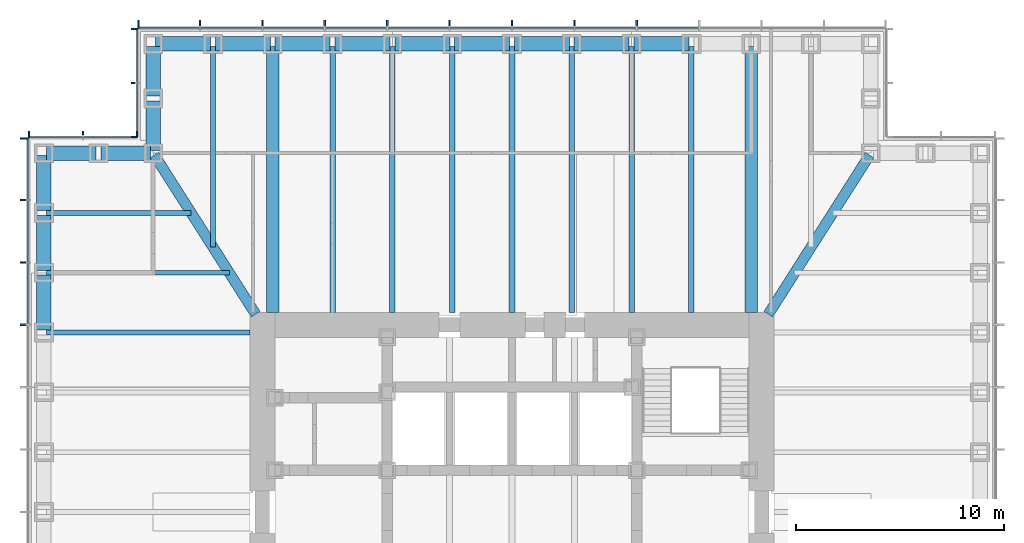
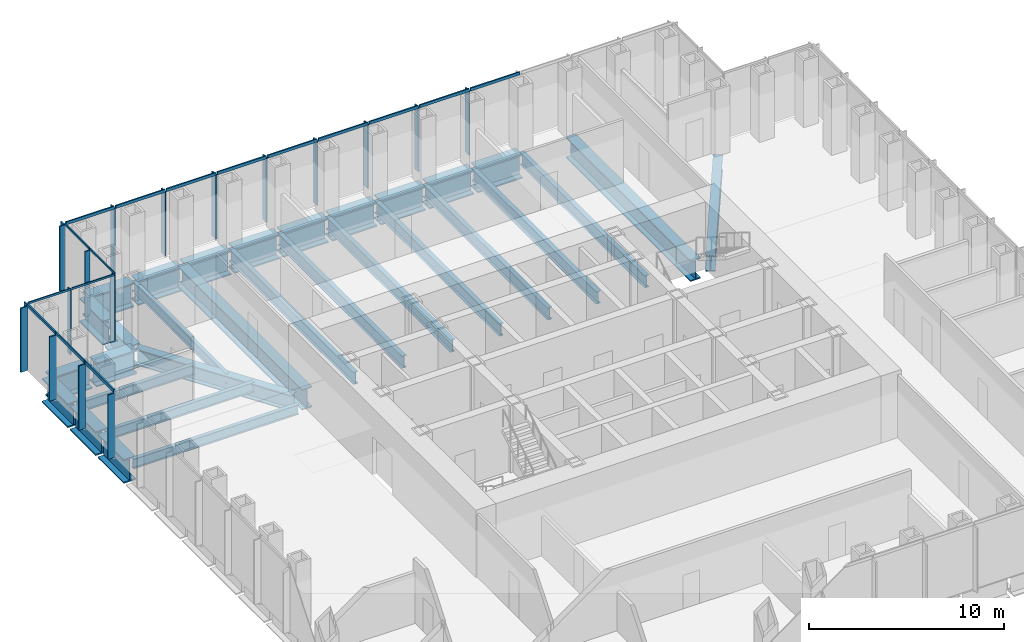
# One storey, part 5 of 17: 35 members, 31 beams, 4 elements without a shape of their own.
"""IFC4 building model written with IfcOpenShell, lengths in metres."""

from ifc_helpers import new_model, si_unit, direction, frame, origin, origin_2d, place, context, subcontext, project, spatial, rectangle, i_section, extrude, material, material_profile, profile_set, type_object, element, aggregate, save


model = new_model("IFC4")

# Units and contexts
model_context = context("Model", 3, precision=1e-05, world=origin(), true_north=direction((0.0, 1.0)))
body_context = subcontext(model_context, "Body", "Model", "MODEL_VIEW")
ifc_project = project(units=[si_unit("LENGTHUNIT", "METRE"), si_unit("AREAUNIT", "SQUARE_METRE"), si_unit("VOLUMEUNIT", "CUBIC_METRE"), si_unit("PLANEANGLEUNIT", "RADIAN"), si_unit("MASSUNIT", "GRAM", prefix="KILO")], contexts=[model_context])

# Site, building, storey
site_placement = place(None, origin())
site = spatial("IfcSite", under=ifc_project, at=site_placement, CompositionType="ELEMENT")
building_placement = place(site_placement, origin())
building = spatial("IfcBuilding", under=site, at=building_placement, Name="Daluyong Arena Tower", CompositionType="ELEMENT")
storey_placement = place(building_placement, frame((0.0, 0.0, 171.10009765625)))
storey = spatial("IfcBuildingStorey", under=building, at=storey_placement, Name="L38", CompositionType="ELEMENT", Elevation=171.10009765625)

# Curtain wall, members
ifc_material_1 = material(Name="Bronze anodised aluminium and glass", Category="aluminium")
curtain_wall_type_1 = type_object("IfcCurtainWallType", Name="Curtain wall CW2", PredefinedType="USERDEFINED", material=ifc_material_1)
curtain_wall_1_placement = place(storey_placement, origin())
curtain_wall_1 = element("IfcCurtainWall", 1, at=curtain_wall_1_placement, inside=storey, type_object=curtain_wall_type_1, Name="curtain wall L38 N", ObjectType="UNITISED CURTAIN WALL", PredefinedType="USERDEFINED")
ifc_material_2 = material(Name="Bronze anodised aluminium fin", Category="aluminium")
ifc_material_profile_1 = material_profile(ifc_material_2, rectangle(XDim=0.39990234375, YDim=0.080078125, at=origin_2d()))
ifc_profile_set_1 = profile_set([ifc_material_profile_1], Name="Bronze anodised aluminium fin")
member_type_1 = type_object("IfcMemberType", Name="CW2 bronze fin 400x80", PredefinedType="MULLION", material=ifc_profile_set_1)
member_1_placement = place(storey_placement, frame((62.0, 103.449951171875, 0.0), z_axis=(0.0, 0.0, 1.0), x_axis=(0.0, -1.0, 0.0)))
member_1 = element("IfcMember", 2, at=member_1_placement, type_object=member_type_1, Name="curtain wall L38 N fin 5", PredefinedType="MULLION", context=body_context, shape_type="SweptSolid", body=[
    extrude(rectangle(XDim=0.39990234375, YDim=0.080078125, at=origin_2d()), origin(), (0.0, 0.0, 1.0), 4.02001953125),
])
member_2_placement = place(storey_placement, frame((59.0, 103.449951171875, 0.0), z_axis=(0.0, 0.0, 1.0), x_axis=(0.0, -1.0, 0.0)))
member_2 = element("IfcMember", 3, at=member_2_placement, type_object=member_type_1, Name="curtain wall L38 N fin 6", PredefinedType="MULLION", context=body_context, shape_type="SweptSolid", body=[
    extrude(rectangle(XDim=0.39990234375, YDim=0.080078125, at=origin_2d()), origin(), (0.0, 0.0, 1.0), 4.02001953125),
])
member_3_placement = place(storey_placement, frame((56.0, 103.449951171875, 0.0), z_axis=(0.0, 0.0, 1.0), x_axis=(0.0, -1.0, 0.0)))
member_3 = element("IfcMember", 4, at=member_3_placement, type_object=member_type_1, Name="curtain wall L38 N fin 7", PredefinedType="MULLION", context=body_context, shape_type="SweptSolid", body=[
    extrude(rectangle(XDim=0.39990234375, YDim=0.080078125, at=origin_2d()), origin(), (0.0, 0.0, 1.0), 4.02001953125),
])
member_4_placement = place(storey_placement, frame((53.0, 103.449951171875, 0.0), z_axis=(0.0, 0.0, 1.0), x_axis=(0.0, -1.0, 0.0)))
member_4 = element("IfcMember", 5, at=member_4_placement, type_object=member_type_1, Name="curtain wall L38 N fin 8", PredefinedType="MULLION", context=body_context, shape_type="SweptSolid", body=[
    extrude(rectangle(XDim=0.39990234375, YDim=0.080078125, at=origin_2d()), origin(), (0.0, 0.0, 1.0), 4.02001953125),
])
member_5_placement = place(storey_placement, frame((50.0, 103.449951171875, 0.0), z_axis=(0.0, 0.0, 1.0), x_axis=(0.0, -1.0, 0.0)))
member_5 = element("IfcMember", 6, at=member_5_placement, type_object=member_type_1, Name="curtain wall L38 N fin 9", PredefinedType="MULLION", context=body_context, shape_type="SweptSolid", body=[
    extrude(rectangle(XDim=0.39990234375, YDim=0.080078125, at=origin_2d()), origin(), (0.0, 0.0, 1.0), 4.02001953125),
])
member_6_placement = place(storey_placement, frame((47.0, 103.449951171875, 0.0), z_axis=(0.0, 0.0, 1.0), x_axis=(0.0, -1.0, 0.0)))
member_6 = element("IfcMember", 7, at=member_6_placement, type_object=member_type_1, Name="curtain wall L38 N fin 10", PredefinedType="MULLION", context=body_context, shape_type="SweptSolid", body=[
    extrude(rectangle(XDim=0.39990234375, YDim=0.080078125, at=origin_2d()), origin(), (0.0, 0.0, 1.0), 4.02001953125),
])
member_7_placement = place(storey_placement, frame((44.0, 103.449951171875, 0.0), z_axis=(0.0, 0.0, 1.0), x_axis=(0.0, -1.0, 0.0)))
member_7 = element("IfcMember", 8, at=member_7_placement, type_object=member_type_1, Name="curtain wall L38 N fin 11", PredefinedType="MULLION", context=body_context, shape_type="SweptSolid", body=[
    extrude(rectangle(XDim=0.39990234375, YDim=0.080078125, at=origin_2d()), origin(), (0.0, 0.0, 1.0), 4.02001953125),
])
member_8_placement = place(storey_placement, frame((41.0, 103.449951171875, 0.0), z_axis=(0.0, 0.0, 1.0), x_axis=(0.0, -1.0, 0.0)))
member_8 = element("IfcMember", 9, at=member_8_placement, type_object=member_type_1, Name="curtain wall L38 N fin 12", PredefinedType="MULLION", context=body_context, shape_type="SweptSolid", body=[
    extrude(rectangle(XDim=0.39990234375, YDim=0.080078125, at=origin_2d()), origin(), (0.0, 0.0, 1.0), 4.02001953125),
])
member_9_placement = place(storey_placement, frame((38.0400390625, 103.449951171875, 0.0), z_axis=(0.0, 0.0, 1.0), x_axis=(0.0, -1.0, 0.0)))
member_9 = element("IfcMember", 10, at=member_9_placement, type_object=member_type_1, Name="curtain wall L38 N fin 13", PredefinedType="MULLION", context=body_context, shape_type="SweptSolid", body=[
    extrude(rectangle(XDim=0.39990234375, YDim=0.080078125, at=origin_2d()), origin(), (0.0, 0.0, 1.0), 4.02001953125),
])

curtain_wall_2_placement = place(storey_placement, origin())
curtain_wall_2 = element("IfcCurtainWall", 11, at=curtain_wall_2_placement, inside=storey, type_object=curtain_wall_type_1, Name="curtain wall L38 W", ObjectType="UNITISED CURTAIN WALL", PredefinedType="USERDEFINED")
member_10_placement = place(storey_placement, frame((32.550048828125, 97.9599609375, 0.0), z_axis=(0.0, 0.0, 1.0), x_axis=(1.0, 0.0, 0.0)))
member_10 = element("IfcMember", 12, at=member_10_placement, type_object=member_type_1, Name="curtain wall L38 W fin 1", PredefinedType="MULLION", context=body_context, shape_type="SweptSolid", body=[
    extrude(rectangle(XDim=0.39990234375, YDim=0.080078125, at=origin_2d()), origin(), (0.0, 0.0, 1.0), 4.02001953125),
])
member_11_placement = place(storey_placement, frame((32.550048828125, 95.0, 0.0), z_axis=(0.0, 0.0, 1.0), x_axis=(1.0, 0.0, 0.0)))
member_11 = element("IfcMember", 13, at=member_11_placement, type_object=member_type_1, Name="curtain wall L38 W fin 2", PredefinedType="MULLION", context=body_context, shape_type="SweptSolid", body=[
    extrude(rectangle(XDim=0.39990234375, YDim=0.080078125, at=origin_2d()), origin(), (0.0, 0.0, 1.0), 4.02001953125),
])
member_12_placement = place(storey_placement, frame((32.550048828125, 92.0, 0.0), z_axis=(0.0, 0.0, 1.0), x_axis=(1.0, 0.0, 0.0)))
member_12 = element("IfcMember", 14, at=member_12_placement, type_object=member_type_1, Name="curtain wall L38 W fin 3", PredefinedType="MULLION", context=body_context, shape_type="SweptSolid", body=[
    extrude(rectangle(XDim=0.39990234375, YDim=0.080078125, at=origin_2d()), origin(), (0.0, 0.0, 1.0), 4.02001953125),
])
member_13_placement = place(storey_placement, frame((32.550048828125, 89.0, 0.0), z_axis=(0.0, 0.0, 1.0), x_axis=(1.0, 0.0, 0.0)))
member_13 = element("IfcMember", 15, at=member_13_placement, type_object=member_type_1, Name="curtain wall L38 W fin 4", PredefinedType="MULLION", context=body_context, shape_type="SweptSolid", body=[
    extrude(rectangle(XDim=0.39990234375, YDim=0.080078125, at=origin_2d()), origin(), (0.0, 0.0, 1.0), 4.02001953125),
])

# Member
ifc_material_3 = material(Name="Bronze anodised aluminium", Category="aluminium")
ifc_material_profile_2 = material_profile(ifc_material_3, rectangle(XDim=0.080078125, YDim=0.179931640625, at=origin_2d()))
ifc_profile_set_2 = profile_set([ifc_material_profile_2], Name="Bronze anodised aluminium")
member_type_2 = type_object("IfcMemberType", Name="CW2 stack transom 180x80", PredefinedType="USERDEFINED", material=ifc_profile_set_2)
member_14_placement = place(storey_placement, frame((64.9599609375, 103.25, 4.10986328125), z_axis=(-1.0, 0.0, 0.0), x_axis=(0.0, -1.0, 0.0)))
member_14 = element("IfcMember", 16, at=member_14_placement, type_object=member_type_2, Name="curtain wall L38 N transom 4", ObjectType="TRANSOM", PredefinedType="USERDEFINED", context=body_context, shape_type="SweptSolid", body=[
    extrude(rectangle(XDim=0.080078125, YDim=0.179931640625, at=origin_2d()), origin(), (0.0, 0.0, 1.0), 2.919921875),
])

member_15_placement = place(storey_placement, frame((61.9599609375, 103.25, 4.10986328125), z_axis=(-1.0, 0.0, 0.0), x_axis=(0.0, -1.0, 0.0)))
member_15 = element("IfcMember", 17, at=member_15_placement, type_object=member_type_2, Name="curtain wall L38 N transom 5", ObjectType="TRANSOM", PredefinedType="USERDEFINED", context=body_context, shape_type="SweptSolid", body=[
    extrude(rectangle(XDim=0.080078125, YDim=0.179931640625, at=origin_2d()), origin(), (0.0, 0.0, 1.0), 2.919921875),
])

member_16_placement = place(storey_placement, frame((58.9599609375, 103.25, 4.10986328125), z_axis=(-1.0, 0.0, 0.0), x_axis=(0.0, -1.0, 0.0)))
member_16 = element("IfcMember", 18, at=member_16_placement, type_object=member_type_2, Name="curtain wall L38 N transom 6", ObjectType="TRANSOM", PredefinedType="USERDEFINED", context=body_context, shape_type="SweptSolid", body=[
    extrude(rectangle(XDim=0.080078125, YDim=0.179931640625, at=origin_2d()), origin(), (0.0, 0.0, 1.0), 2.919921875),
])

member_17_placement = place(storey_placement, frame((55.9599609375, 103.25, 4.10986328125), z_axis=(-1.0, 0.0, 0.0), x_axis=(0.0, -1.0, 0.0)))
member_17 = element("IfcMember", 19, at=member_17_placement, type_object=member_type_2, Name="curtain wall L38 N transom 7", ObjectType="TRANSOM", PredefinedType="USERDEFINED", context=body_context, shape_type="SweptSolid", body=[
    extrude(rectangle(XDim=0.080078125, YDim=0.179931640625, at=origin_2d()), origin(), (0.0, 0.0, 1.0), 2.919921875),
])

member_18_placement = place(storey_placement, frame((52.9599609375, 103.25, 4.10986328125), z_axis=(-1.0, 0.0, 0.0), x_axis=(0.0, -1.0, 0.0)))
member_18 = element("IfcMember", 20, at=member_18_placement, type_object=member_type_2, Name="curtain wall L38 N transom 8", ObjectType="TRANSOM", PredefinedType="USERDEFINED", context=body_context, shape_type="SweptSolid", body=[
    extrude(rectangle(XDim=0.080078125, YDim=0.179931640625, at=origin_2d()), origin(), (0.0, 0.0, 1.0), 2.919921875),
])

member_19_placement = place(storey_placement, frame((49.9599609375, 103.25, 4.10986328125), z_axis=(-1.0, 0.0, 0.0), x_axis=(0.0, -1.0, 0.0)))
member_19 = element("IfcMember", 21, at=member_19_placement, type_object=member_type_2, Name="curtain wall L38 N transom 9", ObjectType="TRANSOM", PredefinedType="USERDEFINED", context=body_context, shape_type="SweptSolid", body=[
    extrude(rectangle(XDim=0.080078125, YDim=0.179931640625, at=origin_2d()), origin(), (0.0, 0.0, 1.0), 2.919921875),
])

member_20_placement = place(storey_placement, frame((46.9599609375, 103.25, 4.10986328125), z_axis=(-1.0, 0.0, 0.0), x_axis=(0.0, -1.0, 0.0)))
member_20 = element("IfcMember", 22, at=member_20_placement, type_object=member_type_2, Name="curtain wall L38 N transom 10", ObjectType="TRANSOM", PredefinedType="USERDEFINED", context=body_context, shape_type="SweptSolid", body=[
    extrude(rectangle(XDim=0.080078125, YDim=0.179931640625, at=origin_2d()), origin(), (0.0, 0.0, 1.0), 2.919921875),
])

member_21_placement = place(storey_placement, frame((43.9599609375, 103.25, 4.10986328125), z_axis=(-1.0, 0.0, 0.0), x_axis=(0.0, -1.0, 0.0)))
member_21 = element("IfcMember", 23, at=member_21_placement, type_object=member_type_2, Name="curtain wall L38 N transom 11", ObjectType="TRANSOM", PredefinedType="USERDEFINED", context=body_context, shape_type="SweptSolid", body=[
    extrude(rectangle(XDim=0.080078125, YDim=0.179931640625, at=origin_2d()), origin(), (0.0, 0.0, 1.0), 2.919921875),
])

member_22_placement = place(storey_placement, frame((40.9599609375, 103.25, 4.10986328125), z_axis=(-1.0, 0.0, 0.0), x_axis=(0.0, -1.0, 0.0)))
member_22 = element("IfcMember", 24, at=member_22_placement, type_object=member_type_2, Name="curtain wall L38 N transom 12", ObjectType="TRANSOM", PredefinedType="USERDEFINED", context=body_context, shape_type="SweptSolid", body=[
    extrude(rectangle(XDim=0.080078125, YDim=0.179931640625, at=origin_2d()), origin(), (0.0, 0.0, 1.0), 2.8798828125),
])

aggregate(curtain_wall_1, [member_1, member_2, member_3, member_4, member_5, member_6, member_7, member_8, member_9, member_14, member_15, member_16, member_17, member_18, member_19, member_20, member_21, member_22])

member_23_placement = place(storey_placement, frame((32.75, 97.919921875, 4.10986328125), z_axis=(0.0, -1.0, 0.0), x_axis=(1.0, 0.0, 0.0)))
member_23 = element("IfcMember", 25, at=member_23_placement, type_object=member_type_2, Name="curtain wall L38 W transom 1", ObjectType="TRANSOM", PredefinedType="USERDEFINED", context=body_context, shape_type="SweptSolid", body=[
    extrude(rectangle(XDim=0.080078125, YDim=0.179931640625, at=origin_2d()), origin(), (0.0, 0.0, 1.0), 2.8798828125),
])

member_24_placement = place(storey_placement, frame((32.75, 94.9599609375, 4.10986328125), z_axis=(0.0, -1.0, 0.0), x_axis=(1.0, 0.0, 0.0)))
member_24 = element("IfcMember", 26, at=member_24_placement, type_object=member_type_2, Name="curtain wall L38 W transom 2", ObjectType="TRANSOM", PredefinedType="USERDEFINED", context=body_context, shape_type="SweptSolid", body=[
    extrude(rectangle(XDim=0.080078125, YDim=0.179931640625, at=origin_2d()), origin(), (0.0, 0.0, 1.0), 2.919921875),
])

member_25_placement = place(storey_placement, frame((32.75, 91.9599609375, 4.10986328125), z_axis=(0.0, -1.0, 0.0), x_axis=(1.0, 0.0, 0.0)))
member_25 = element("IfcMember", 27, at=member_25_placement, type_object=member_type_2, Name="curtain wall L38 W transom 3", ObjectType="TRANSOM", PredefinedType="USERDEFINED", context=body_context, shape_type="SweptSolid", body=[
    extrude(rectangle(XDim=0.080078125, YDim=0.179931640625, at=origin_2d()), origin(), (0.0, 0.0, 1.0), 2.919921875),
])

aggregate(curtain_wall_2, [member_10, member_11, member_12, member_13, member_23, member_24, member_25])

# Curtain wall, members
ifc_material_4 = material(Name="Bronze anodised aluminium and glass", Category="aluminium")
curtain_wall_type_2 = type_object("IfcCurtainWallType", Name="Curtain wall CW7", PredefinedType="USERDEFINED", material=ifc_material_4)
curtain_wall_3_placement = place(storey_placement, origin())
curtain_wall_3 = element("IfcCurtainWall", 28, at=curtain_wall_3_placement, inside=storey, type_object=curtain_wall_type_2, Name="curtain wall L38 NW-W", ObjectType="UNITISED CURTAIN WALL", PredefinedType="USERDEFINED")
ifc_material_5 = material(Name="Bronze anodised aluminium fin", Category="aluminium")
ifc_material_profile_3 = material_profile(ifc_material_5, rectangle(XDim=0.300048828125, YDim=0.06005859375, at=origin_2d()))
ifc_profile_set_3 = profile_set([ifc_material_profile_3], Name="Bronze anodised aluminium fin")
member_type_3 = type_object("IfcMemberType", Name="CW7 bronze fin 300x60", PredefinedType="MULLION", material=ifc_profile_set_3)
member_26_placement = place(storey_placement, frame((37.85009765625, 103.219970703125, 0.0), z_axis=(0.0, 0.0, 1.0), x_axis=(1.0, 0.0, 0.0)))
member_26 = element("IfcMember", 29, at=member_26_placement, type_object=member_type_3, Name="curtain wall L38 NW-W fin 1", PredefinedType="MULLION", context=body_context, shape_type="SweptSolid", body=[
    extrude(rectangle(XDim=0.300048828125, YDim=0.06005859375, at=origin_2d()), origin(), (0.0, 0.0, 1.0), 4.079833984375),
])
member_27_placement = place(storey_placement, frame((37.85009765625, 100.625, 0.0), z_axis=(0.0, 0.0, 1.0), x_axis=(1.0, 0.0, 0.0)))
member_27 = element("IfcMember", 30, at=member_27_placement, type_object=member_type_3, Name="curtain wall L38 NW-W fin 2", PredefinedType="MULLION", context=body_context, shape_type="SweptSolid", body=[
    extrude(rectangle(XDim=0.300048828125, YDim=0.06005859375, at=origin_2d()), origin(), (0.0, 0.0, 1.0), 4.079833984375),
])
member_28_placement = place(storey_placement, frame((37.85009765625, 98.030029296875, 0.0), z_axis=(0.0, 0.0, 1.0), x_axis=(1.0, 0.0, 0.0)))
member_28 = element("IfcMember", 31, at=member_28_placement, type_object=member_type_3, Name="curtain wall L38 NW-W fin 3", PredefinedType="MULLION", context=body_context, shape_type="SweptSolid", body=[
    extrude(rectangle(XDim=0.300048828125, YDim=0.06005859375, at=origin_2d()), origin(), (0.0, 0.0, 1.0), 4.079833984375),
])

curtain_wall_4_placement = place(storey_placement, origin())
curtain_wall_4 = element("IfcCurtainWall", 32, at=curtain_wall_4_placement, inside=storey, type_object=curtain_wall_type_2, Name="curtain wall L38 NW-N", ObjectType="UNITISED CURTAIN WALL", PredefinedType="USERDEFINED")
member_29_placement = place(storey_placement, frame((37.969970703125, 98.14990234375, 0.0), z_axis=(0.0, 0.0, 1.0), x_axis=(0.0, -1.0, 0.0)))
member_29 = element("IfcMember", 33, at=member_29_placement, type_object=member_type_3, Name="curtain wall L38 NW-N fin 1", PredefinedType="MULLION", context=body_context, shape_type="SweptSolid", body=[
    extrude(rectangle(XDim=0.300048828125, YDim=0.06005859375, at=origin_2d()), origin(), (0.0, 0.0, 1.0), 4.079833984375),
])
member_30_placement = place(storey_placement, frame((35.375, 98.14990234375, 0.0), z_axis=(0.0, 0.0, 1.0), x_axis=(0.0, -1.0, 0.0)))
member_30 = element("IfcMember", 34, at=member_30_placement, type_object=member_type_3, Name="curtain wall L38 NW-N fin 2", PredefinedType="MULLION", context=body_context, shape_type="SweptSolid", body=[
    extrude(rectangle(XDim=0.300048828125, YDim=0.06005859375, at=origin_2d()), origin(), (0.0, 0.0, 1.0), 4.079833984375),
])
member_31_placement = place(storey_placement, frame((32.780029296875, 98.14990234375, 0.0), z_axis=(0.0, 0.0, 1.0), x_axis=(0.0, -1.0, 0.0)))
member_31 = element("IfcMember", 35, at=member_31_placement, type_object=member_type_3, Name="curtain wall L38 NW-N fin 3", PredefinedType="MULLION", context=body_context, shape_type="SweptSolid", body=[
    extrude(rectangle(XDim=0.300048828125, YDim=0.06005859375, at=origin_2d()), origin(), (0.0, 0.0, 1.0), 4.079833984375),
])

# Member
ifc_material_6 = material(Name="Bronze anodised aluminium", Category="aluminium")
ifc_material_profile_4 = material_profile(ifc_material_6, rectangle(XDim=0.06005859375, YDim=0.1201171875, at=origin_2d()))
ifc_profile_set_4 = profile_set([ifc_material_profile_4], Name="Bronze anodised aluminium")
member_type_4 = type_object("IfcMemberType", Name="CW7 stack transom 120x60", PredefinedType="USERDEFINED", material=ifc_profile_set_4)
member_32_placement = place(storey_placement, frame((38.0, 103.18994140625, 4.139892578125), z_axis=(0.0, -1.0, 0.0), x_axis=(1.0, 0.0, 0.0)))
member_32 = element("IfcMember", 36, at=member_32_placement, type_object=member_type_4, Name="curtain wall L38 NW-W transom 1", ObjectType="TRANSOM", PredefinedType="USERDEFINED", context=body_context, shape_type="SweptSolid", body=[
    extrude(rectangle(XDim=0.06005859375, YDim=0.1201171875, at=origin_2d()), origin(), (0.0, 0.0, 1.0), 2.534912109375),
])

member_33_placement = place(storey_placement, frame((38.0, 100.594970703125, 4.139892578125), z_axis=(0.0, -1.0, 0.0), x_axis=(1.0, 0.0, 0.0)))
member_33 = element("IfcMember", 37, at=member_33_placement, type_object=member_type_4, Name="curtain wall L38 NW-W transom 2", ObjectType="TRANSOM", PredefinedType="USERDEFINED", context=body_context, shape_type="SweptSolid", body=[
    extrude(rectangle(XDim=0.06005859375, YDim=0.1201171875, at=origin_2d()), origin(), (0.0, 0.0, 1.0), 2.534912109375),
])

aggregate(curtain_wall_3, [member_26, member_27, member_28, member_32, member_33])

member_34_placement = place(storey_placement, frame((37.93994140625, 98.0, 4.139892578125), z_axis=(-1.0, 0.0, 0.0), x_axis=(0.0, -1.0, 0.0)))
member_34 = element("IfcMember", 38, at=member_34_placement, type_object=member_type_4, Name="curtain wall L38 NW-N transom 1", ObjectType="TRANSOM", PredefinedType="USERDEFINED", context=body_context, shape_type="SweptSolid", body=[
    extrude(rectangle(XDim=0.06005859375, YDim=0.1201171875, at=origin_2d()), origin(), (0.0, 0.0, 1.0), 2.534912109375),
])

member_35_placement = place(storey_placement, frame((35.344970703125, 98.0, 4.139892578125), z_axis=(-1.0, 0.0, 0.0), x_axis=(0.0, -1.0, 0.0)))
member_35 = element("IfcMember", 39, at=member_35_placement, type_object=member_type_4, Name="curtain wall L38 NW-N transom 2", ObjectType="TRANSOM", PredefinedType="USERDEFINED", context=body_context, shape_type="SweptSolid", body=[
    extrude(rectangle(XDim=0.06005859375, YDim=0.1201171875, at=origin_2d()), origin(), (0.0, 0.0, 1.0), 2.534912109375),
])

aggregate(curtain_wall_4, [member_29, member_30, member_31, member_34, member_35])

# Beams
ifc_material_7 = material(Name="Steel ASTM A572 Grade 50", Category="steel")
ifc_material_profile_5 = material_profile(ifc_material_7, i_section(OverallWidth=0.5, OverallDepth=1.0, WebThickness=0.03, FlangeThickness=0.06, at=origin_2d()))
ifc_profile_set_5 = profile_set([ifc_material_profile_5], Name="Steel ASTM A572 Grade 50")
beam_type_1 = type_object("IfcBeamType", Name="Corner girder TB1000X500", PredefinedType="BEAM", material=ifc_profile_set_5)
for number, where, z_axis, x_axis, name in (
    (40, (73.188232421875, 97.153076171875, -0.66015625), (-0.536872006459, -0.843663705916, 0.0), (0.843663705916, -0.536872006459, 0.0), "corner girder DG2"),
    (41, (38.811767578125, 97.153076171875, -0.66015625), (0.536872006459, -0.843663705916, 0.0), (0.843663705916, 0.536872006459, 0.0), "corner girder DG2"),
):
    element("IfcBeam", number, at=place(storey_placement, frame(where, z_axis=z_axis, x_axis=x_axis)), inside=storey, type_object=beam_type_1, Name=name, PredefinedType="BEAM", context=body_context, shape_type="SweptSolid", body=[
        extrude(i_section(OverallWidth=0.5, OverallDepth=1.0, WebThickness=0.03, FlangeThickness=0.06, at=origin_2d()), origin(), (0.0, 0.0, 1.0), 9.06396484375),
    ])
ifc_material_8 = material(Name="Steel ASTM A572 Grade 50", Category="steel")
ifc_material_profile_6 = material_profile(ifc_material_8, i_section(OverallWidth=0.60009765625, OverallDepth=1.300048828125, WebThickness=0.035, FlangeThickness=0.07, at=origin_2d()))
ifc_profile_set_6 = profile_set([ifc_material_profile_6], Name="Steel ASTM A572 Grade 50")
beam_type_2 = type_object("IfcBeamType", Name="Floor beam TB1300X600", PredefinedType="BEAM", material=ifc_profile_set_6)
for number, where, z_axis, x_axis, name in (
    (42, (67.5, 102.385009765625, -0.81005859375), (0.0, -1.0, 0.0), (1.0, 0.0, 0.0), "floor beam FB7"),
    (43, (44.5, 102.385009765625, -0.81005859375), (0.0, -1.0, 0.0), (1.0, 0.0, 0.0), "floor beam FB7"),
):
    element("IfcBeam", number, at=place(storey_placement, frame(where, z_axis=z_axis, x_axis=x_axis)), inside=storey, type_object=beam_type_2, Name=name, PredefinedType="BEAM", context=body_context, shape_type="SweptSolid", body=[
        extrude(i_section(OverallWidth=0.60009765625, OverallDepth=1.300048828125, WebThickness=0.035, FlangeThickness=0.07, at=origin_2d()), origin(), (0.0, 0.0, 1.0), 12.784912109375),
    ])
ifc_material_9 = material(Name="Steel ASTM A992 Grade 50", Category="steel")
ifc_material_profile_7 = material_profile(ifc_material_9, i_section(OverallWidth=0.22900390625, OverallDepth=0.612060546875, WebThickness=0.011962890625, FlangeThickness=0.01953125, at=origin_2d()))
ifc_profile_set_7 = profile_set([ifc_material_profile_7], Name="Steel ASTM A992 Grade 50")
beam_type_3 = type_object("IfcBeamType", Name="Floor beam W24X84", PredefinedType="BEAM", material=ifc_profile_set_7)
beam_1_placement = place(storey_placement, frame((41.625, 102.385009765625, -0.466064453125), z_axis=(0.0, -1.0, 0.0), x_axis=(1.0, 0.0, 0.0)))
element("IfcBeam", 44, at=beam_1_placement, inside=storey, type_object=beam_type_3, Name="floor beam FB3", PredefinedType="BEAM", context=body_context, shape_type="SweptSolid", body=[
    extrude(i_section(OverallWidth=0.22900390625, OverallDepth=0.612060546875, WebThickness=0.011962890625, FlangeThickness=0.01953125, at=origin_2d()), origin(), (0.0, 0.0, 1.0), 9.65283203125),
])
beam_2_placement = place(storey_placement, frame((33.614990234375, 94.375, -0.466064453125), z_axis=(1.0, 0.0, 0.0), x_axis=(0.0, 1.0, 0.0)))
element("IfcBeam", 45, at=beam_2_placement, inside=storey, type_object=beam_type_3, Name="floor beam FB3", PredefinedType="BEAM", context=body_context, shape_type="SweptSolid", body=[
    extrude(i_section(OverallWidth=0.22900390625, OverallDepth=0.612060546875, WebThickness=0.011962890625, FlangeThickness=0.01953125, at=origin_2d()), origin(), (0.0, 0.0, 1.0), 6.964599609375),
])
beam_3_placement = place(storey_placement, frame((33.614990234375, 91.5, -0.466064453125), z_axis=(1.0, 0.0, 0.0), x_axis=(0.0, 1.0, 0.0)))
element("IfcBeam", 46, at=beam_3_placement, inside=storey, type_object=beam_type_3, Name="floor beam FB3", PredefinedType="BEAM", context=body_context, shape_type="SweptSolid", body=[
    extrude(i_section(OverallWidth=0.22900390625, OverallDepth=0.612060546875, WebThickness=0.011962890625, FlangeThickness=0.01953125, at=origin_2d()), origin(), (0.0, 0.0, 1.0), 8.794189453125),
])
beam_4_placement = place(storey_placement, frame((33.614990234375, 88.625, -0.466064453125), z_axis=(1.0, 0.0, 0.0), x_axis=(0.0, 1.0, 0.0)))
element("IfcBeam", 47, at=beam_4_placement, inside=storey, type_object=beam_type_3, Name="floor beam FB3", PredefinedType="BEAM", context=body_context, shape_type="SweptSolid", body=[
    extrude(i_section(OverallWidth=0.22900390625, OverallDepth=0.612060546875, WebThickness=0.011962890625, FlangeThickness=0.01953125, at=origin_2d()), origin(), (0.0, 0.0, 1.0), 9.784912109375),
])
ifc_material_10 = material(Name="Steel ASTM A992 Grade 50", Category="steel")
ifc_material_profile_8 = material_profile(ifc_material_10, i_section(OverallWidth=0.2666015625, OverallDepth=0.761962890625, WebThickness=0.014404296875, FlangeThickness=0.021484375, at=origin_2d()))
ifc_profile_set_8 = profile_set([ifc_material_profile_8], Name="Steel ASTM A992 Grade 50")
beam_type_4 = type_object("IfcBeamType", Name="Floor beam W30X116", PredefinedType="BEAM", material=ifc_profile_set_8)
for number, where, z_axis, x_axis, name in (
    (48, (64.625, 102.385009765625, -0.541015625), (0.0, -1.0, 0.0), (1.0, 0.0, 0.0), "floor beam FB4"),
    (49, (61.75, 102.385009765625, -0.541015625), (0.0, -1.0, 0.0), (1.0, 0.0, 0.0), "floor beam FB4"),
    (50, (58.875, 102.385009765625, -0.541015625), (0.0, -1.0, 0.0), (1.0, 0.0, 0.0), "floor beam FB4"),
    (51, (56.0, 102.385009765625, -0.541015625), (0.0, -1.0, 0.0), (1.0, 0.0, 0.0), "floor beam FB4"),
    (52, (53.125, 102.385009765625, -0.541015625), (0.0, -1.0, 0.0), (1.0, 0.0, 0.0), "floor beam FB4"),
    (53, (50.25, 102.385009765625, -0.541015625), (0.0, -1.0, 0.0), (1.0, 0.0, 0.0), "floor beam FB4"),
    (54, (47.375, 102.385009765625, -0.541015625), (0.0, -1.0, 0.0), (1.0, 0.0, 0.0), "floor beam FB4"),
):
    element("IfcBeam", number, at=place(storey_placement, frame(where, z_axis=z_axis, x_axis=x_axis)), inside=storey, type_object=beam_type_4, Name=name, PredefinedType="BEAM", context=body_context, shape_type="SweptSolid", body=[
        extrude(i_section(OverallWidth=0.2666015625, OverallDepth=0.761962890625, WebThickness=0.014404296875, FlangeThickness=0.021484375, at=origin_2d()), origin(), (0.0, 0.0, 1.0), 12.784912109375),
    ])
ifc_material_11 = material(Name="Steel ASTM A572 Grade 50", Category="steel")
ifc_material_profile_9 = material_profile(ifc_material_11, i_section(OverallWidth=0.699951171875, OverallDepth=1.5, WebThickness=0.04, FlangeThickness=0.08, at=origin_2d()))
ifc_profile_set_9 = profile_set([ifc_material_profile_9], Name="Steel ASTM A572 Grade 50")
beam_type_5 = type_object("IfcBeamType", Name="Spandrel Z2 PG1500X700", PredefinedType="SPANDREL", material=ifc_profile_set_9)
for number, where, z_axis, x_axis, name in (
    (55, (64.510009765625, 102.5, -0.91015625), (-1.0, 0.0, 0.0), (0.0, -1.0, 0.0), "spandrel z2 SB6"),
    (56, (61.635009765625, 102.5, -0.91015625), (-1.0, 0.0, 0.0), (0.0, -1.0, 0.0), "spandrel z2 SB6"),
    (57, (58.760009765625, 102.5, -0.91015625), (-1.0, 0.0, 0.0), (0.0, -1.0, 0.0), "spandrel z2 SB6"),
    (58, (55.885009765625, 102.5, -0.91015625), (-1.0, 0.0, 0.0), (0.0, -1.0, 0.0), "spandrel z2 SB6"),
    (59, (53.010009765625, 102.5, -0.91015625), (-1.0, 0.0, 0.0), (0.0, -1.0, 0.0), "spandrel z2 SB6"),
    (60, (50.135009765625, 102.5, -0.91015625), (-1.0, 0.0, 0.0), (0.0, -1.0, 0.0), "spandrel z2 SB6"),
    (61, (47.260009765625, 102.5, -0.91015625), (-1.0, 0.0, 0.0), (0.0, -1.0, 0.0), "spandrel z2 SB6"),
    (62, (44.385009765625, 102.5, -0.91015625), (-1.0, 0.0, 0.0), (0.0, -1.0, 0.0), "spandrel z2 SB6"),
    (63, (41.510009765625, 102.5, -0.91015625), (-1.0, 0.0, 0.0), (0.0, -1.0, 0.0), "spandrel z2 SB6"),
):
    element("IfcBeam", number, at=place(storey_placement, frame(where, z_axis=z_axis, x_axis=x_axis)), inside=storey, type_object=beam_type_5, Name=name, PredefinedType="SPANDREL", context=body_context, shape_type="SweptSolid", body=[
        extrude(i_section(OverallWidth=0.699951171875, OverallDepth=1.5, WebThickness=0.04, FlangeThickness=0.08, at=origin_2d()), origin(), (0.0, 0.0, 1.0), 2.64501953125),
    ])
for number, where, z_axis, x_axis, name in (
    (64, (38.75, 102.385009765625, -0.91015625), (0.0, -1.0, 0.0), (1.0, 0.0, 0.0), "spandrel z2 SB6"),
    (65, (38.75, 99.760009765625, -0.91015625), (0.0, -1.0, 0.0), (1.0, 0.0, 0.0), "spandrel z2 SB6"),
    (66, (38.635009765625, 97.25, -0.91015625), (-1.0, 0.0, 0.0), (0.0, -1.0, 0.0), "spandrel z2 SB6"),
    (67, (36.010009765625, 97.25, -0.91015625), (-1.0, 0.0, 0.0), (0.0, -1.0, 0.0), "spandrel z2 SB6"),
):
    element("IfcBeam", number, at=place(storey_placement, frame(where, z_axis=z_axis, x_axis=x_axis)), inside=storey, type_object=beam_type_5, Name=name, PredefinedType="SPANDREL", context=body_context, shape_type="SweptSolid", body=[
        extrude(i_section(OverallWidth=0.699951171875, OverallDepth=1.5, WebThickness=0.04, FlangeThickness=0.08, at=origin_2d()), origin(), (0.0, 0.0, 1.0), 2.39501953125),
    ])
for number, where, z_axis, x_axis, name in (
    (68, (33.5, 97.135009765625, -0.91015625), (0.0, -1.0, 0.0), (1.0, 0.0, 0.0), "spandrel z2 SB6"),
    (69, (33.5, 94.260009765625, -0.91015625), (0.0, -1.0, 0.0), (1.0, 0.0, 0.0), "spandrel z2 SB6"),
    (70, (33.5, 91.385009765625, -0.91015625), (0.0, -1.0, 0.0), (1.0, 0.0, 0.0), "spandrel z2 SB6"),
):
    element("IfcBeam", number, at=place(storey_placement, frame(where, z_axis=z_axis, x_axis=x_axis)), inside=storey, type_object=beam_type_5, Name=name, PredefinedType="SPANDREL", context=body_context, shape_type="SweptSolid", body=[
        extrude(i_section(OverallWidth=0.699951171875, OverallDepth=1.5, WebThickness=0.04, FlangeThickness=0.08, at=origin_2d()), origin(), (0.0, 0.0, 1.0), 2.64501953125),
    ])

save(model, "model.ifc")
